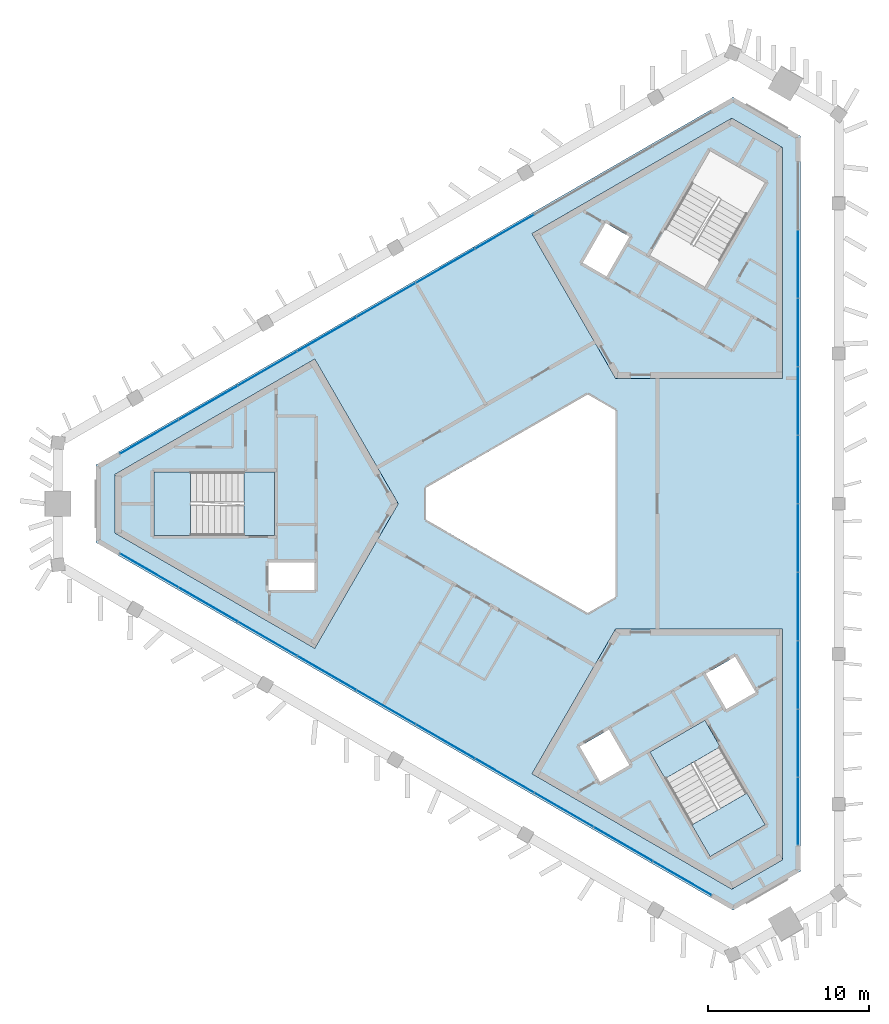
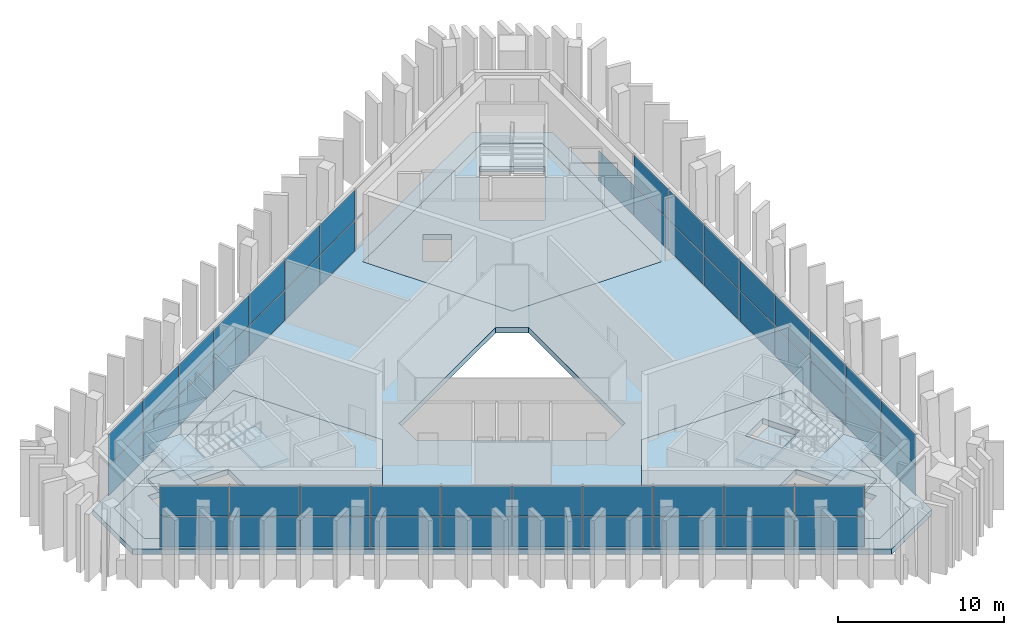
# One storey, part 7 of 13: 51 plates, 10 slabs, 5 elements without a shape of their own.
"""IFC4 building model written with IfcOpenShell, lengths in metres."""

import ifcopenshell
import ifcopenshell.guid

model = None  # the IFC model being written
_history = None  # IfcOwnerHistory: only IFC2X3 demands one
_inside = {}  # id of a spatial element -> (the spatial element, [elements in it])
_under = {}  # id of a project, library or spatial element -> (it, [spatial elements below it])
_declared = {}  # id of a project -> (the project, [libraries it declares])
_typed = {}  # id of a type object -> (the type object, [elements of that type])
_made_of = {}  # id of a material, layer set ... -> (it, [elements and type objects made of it])


def new_model(schema):
    """Start an empty IFC model of exactly this schema.

    Asked for "IFC4X3", IfcOpenShell would pick the latest addendum, in which some entities
    have other attributes; the version numbers below select the first issue.
    IFC2X3 requires an IfcOwnerHistory on every rooted entity: one is made here for all.
    """
    global model, _history
    if schema == "IFC4X3":
        model = ifcopenshell.file(schema_version=(4, 3, 0, 0))
    else:
        model = ifcopenshell.file(schema=schema)
    _inside.clear()
    _under.clear()
    _declared.clear()
    _typed.clear()
    _made_of.clear()
    _history = None
    if model.schema == "IFC2X3":
        org = make("IfcOrganization", Name="unknown")
        user = make(
            "IfcPersonAndOrganization",
            ThePerson=make("IfcPerson", FamilyName="unknown"),
            TheOrganization=org,
        )
        app = make(
            "IfcApplication",
            ApplicationDeveloper=org,
            Version="unknown",
            ApplicationFullName="unknown",
            ApplicationIdentifier="unknown",
        )
        _history = make(
            "IfcOwnerHistory",
            OwningUser=user,
            OwningApplication=app,
            ChangeAction="ADDED",
            CreationDate=0,
        )
    return model


def make(cls, **values):
    """One entity of the class cls with the attributes given. An attribute that is None is left unset."""
    return model.create_entity(
        cls, **{name: value for name, value in values.items() if value is not None}
    )


def rooted(cls, **values):
    """An entity with a GlobalId (a new one), such as an element, a storey or a relation."""
    return make(cls, GlobalId=ifcopenshell.guid.new(), OwnerHistory=_history, **values)


def si_unit(unit_type, name, prefix=None):
    """IfcSIUnit, for example si_unit("LENGTHUNIT", "METRE", prefix="MILLI")."""
    return make("IfcSIUnit", UnitType=unit_type, Prefix=prefix, Name=name)


def assignment(units):
    """IfcUnitAssignment: the units of a project."""
    return None if units is None else make("IfcUnitAssignment", Units=units)


def point(xyz):
    """IfcCartesianPoint."""
    return None if xyz is None else make("IfcCartesianPoint", Coordinates=xyz)


def direction(xyz):
    """IfcDirection."""
    return None if xyz is None else make("IfcDirection", DirectionRatios=xyz)


def frame(location, z_axis=None, x_axis=None):
    """IfcAxis2Placement3D, a coordinate frame: its origin and axes. An axis left out is left unset."""
    return make(
        "IfcAxis2Placement3D",
        Location=point(location),
        Axis=direction(z_axis),
        RefDirection=direction(x_axis),
    )


def frame_2d(location, x_axis=None):
    """IfcAxis2Placement2D, a coordinate frame in the plane: its origin and x axis."""
    return make(
        "IfcAxis2Placement2D", Location=point(location), RefDirection=direction(x_axis)
    )


def origin():
    """The frame at (0, 0, 0) with its axes left unset."""
    return frame((0.0, 0.0, 0.0))


def origin_2d():
    """The frame at (0, 0) in the plane with its x axis left unset."""
    return frame_2d((0.0, 0.0))


def place(relative_to, where):
    """IfcLocalPlacement: puts the frame where relative to a parent placement (None: the world)."""
    return make(
        "IfcLocalPlacement", PlacementRelTo=relative_to, RelativePlacement=where
    )


def context(
    kind, dimensions, precision=None, world=None, true_north=None, identifier=None
):
    """IfcGeometricRepresentationContext, for example the 3D "Model" context."""
    return make(
        "IfcGeometricRepresentationContext",
        ContextIdentifier=identifier,
        ContextType=kind,
        CoordinateSpaceDimension=dimensions,
        Precision=precision,
        WorldCoordinateSystem=world,
        TrueNorth=true_north,
    )


def subcontext(parent, identifier, kind, view, scale=None):
    """IfcGeometricRepresentationSubContext, for example "Body" below "Model"."""
    return make(
        "IfcGeometricRepresentationSubContext",
        ContextIdentifier=identifier,
        ContextType=kind,
        ParentContext=parent,
        TargetScale=scale,
        TargetView=view,
    )


def project(units=None, contexts=None):
    """IfcProject with its units and contexts."""
    return rooted(
        "IfcProject",
        Name="project",
        RepresentationContexts=contexts,
        UnitsInContext=assignment(units),
    )


def spatial(cls, under=None, at=None, **own):
    """A site, building, storey or space (cls), placed at a placement, below another one or the project."""
    s = rooted(cls, ObjectPlacement=at, **own)
    if under is not None:
        _under.setdefault(under.id(), (under, []))[1].append(s)
    return s


def polyline(points):
    """IfcPolyline through the points."""
    return make("IfcPolyline", Points=[point(p) for p in points])


def profile(cls, at=None, kind="AREA", **sizes):
    """A parametric profile (cls). Its sizes go by their IFC names, for example OverallWidth=200.0."""
    return make(cls, ProfileType=kind, Position=at, **sizes)


def rectangle(**sizes):
    """IfcRectangleProfileDef."""
    return profile("IfcRectangleProfileDef", **sizes)


def outline(outer, holes=None, kind="AREA"):
    """IfcArbitraryClosedProfileDef: a profile drawn as a closed curve; with holes, ...WithVoids."""
    if holes is None:
        return make("IfcArbitraryClosedProfileDef", ProfileType=kind, OuterCurve=outer)
    return make(
        "IfcArbitraryProfileDefWithVoids",
        ProfileType=kind,
        OuterCurve=outer,
        InnerCurves=holes,
    )


def extrude(swept, where, along, depth):
    """IfcExtrudedAreaSolid: the profile swept, set in the frame where, extruded along a direction by depth."""
    return make(
        "IfcExtrudedAreaSolid",
        SweptArea=swept,
        Position=where,
        ExtrudedDirection=direction(along),
        Depth=depth,
    )


def shape(context_of_items, identifier, shape_type, items):
    """IfcShapeRepresentation: the items that make up one representation, for example the "Body"."""
    return make(
        "IfcShapeRepresentation",
        ContextOfItems=context_of_items,
        RepresentationIdentifier=identifier,
        RepresentationType=shape_type,
        Items=items,
    )


def material(Name=None, Category=None):
    """IfcMaterial."""
    return make("IfcMaterial", Name=Name, Category=Category)


def layer(
    of_material, thickness, ventilated=None, Name=None, Category=None, Priority=None
):
    """IfcMaterialLayer: one layer of a wall or slab, of a material (None: an air gap)."""
    return make(
        "IfcMaterialLayer",
        Material=of_material,
        LayerThickness=thickness,
        IsVentilated=ventilated,
        Name=Name,
        Category=Category,
        Priority=Priority,
    )


def layer_set(layers, Name=None):
    """IfcMaterialLayerSet."""
    return make("IfcMaterialLayerSet", MaterialLayers=layers, LayerSetName=Name)


def made_of(thing, what):
    """Note that an element or type object is made of a material, layer set ...; save() writes the relation."""
    if what is not None:
        _made_of.setdefault(what.id(), (what, []))[1].append(thing)
    return thing


def type_object(cls, material=None, **own):
    """A type object (cls), such as IfcWallType, which elements share."""
    return made_of(rooted(cls, **own), material)


def element(
    cls,
    number,
    at=None,
    inside=None,
    cuts=None,
    type_object=None,
    material=None,
    context=None,
    identifier="Body",
    shape_type=None,
    held_by="IfcProductDefinitionShape",
    body=None,
    shapes=None,
    **own,
):
    """One element of the class cls, such as IfcWall. Its Tag is "e" and its number.

    at: its placement. inside: the storey or other place that contains it. cuts: it is an
    opening in that element (IfcRelVoidsElement). A single representation is given by context,
    identifier, shape_type and body (its items); several are given by shapes. held_by: the class
    of the entity that holds the representations. save() writes the other relations.
    """
    e = rooted(cls, Tag="e%d" % number, ObjectPlacement=at, **own)
    if body is not None:
        shapes = [shape(context, identifier, shape_type, body)]
    if shapes is not None:
        e.Representation = make(held_by, Representations=shapes)
    if inside is not None:
        _inside.setdefault(inside.id(), (inside, []))[1].append(e)
    if cuts is not None:
        rooted(
            "IfcRelVoidsElement", RelatingBuildingElement=cuts, RelatedOpeningElement=e
        )
    if type_object is not None:
        _typed.setdefault(type_object.id(), (type_object, []))[1].append(e)
    return made_of(e, material)


def aggregate(whole, parts):
    """IfcRelAggregates: a whole, such as a stair, and the parts it consists of."""
    return rooted("IfcRelAggregates", RelatingObject=whole, RelatedObjects=parts)


def save(model, path):
    """Write the relations noted so far, then the file.

    IfcRelAggregates (storeys below a building ...), IfcRelContainedInSpatialStructure (elements
    in a storey), IfcRelDefinesByType, IfcRelAssociatesMaterial and IfcRelDeclares: one each for
    every whole, place, type object, material and project.
    """
    for whole, parts in _under.values():
        aggregate(whole, parts)
    for where, things in _inside.values():
        rooted(
            "IfcRelContainedInSpatialStructure",
            RelatedElements=things,
            RelatingStructure=where,
        )
    for kind, things in _typed.values():
        rooted("IfcRelDefinesByType", RelatedObjects=things, RelatingType=kind)
    for what, things in _made_of.values():
        rooted("IfcRelAssociatesMaterial", RelatedObjects=things, RelatingMaterial=what)
    for by, libraries in _declared.values():
        rooted("IfcRelDeclares", RelatingContext=by, RelatedDefinitions=libraries)
    model.write(path)


model = new_model("IFC4")

# Units and contexts
model_context = context("Model", 3, precision=1e-05, world=origin(), true_north=direction((0.0, 1.0)))
body_context = subcontext(model_context, "Body", "Model", "MODEL_VIEW")
ifc_project = project(units=[si_unit("LENGTHUNIT", "METRE"), si_unit("AREAUNIT", "SQUARE_METRE"), si_unit("VOLUMEUNIT", "CUBIC_METRE"), si_unit("PLANEANGLEUNIT", "RADIAN"), si_unit("MASSUNIT", "GRAM", prefix="KILO")], contexts=[model_context])

# Site, building, storey
site_placement = place(None, origin())
site = spatial("IfcSite", under=ifc_project, at=site_placement, CompositionType="ELEMENT")
building_placement = place(site_placement, origin())
building = spatial("IfcBuilding", under=site, at=building_placement, Name="Jabali Bay Hotel Tower and Convention Centre", CompositionType="ELEMENT")
storey_placement = place(building_placement, frame((0.0, 0.0, 310.800048828125)))
storey = spatial("IfcBuildingStorey", under=building, at=storey_placement, Name="L76", CompositionType="ELEMENT", Elevation=310.800048828125)

# Curtain wall, plates
ifc_material_1 = material(Name="Aluminium and glass", Category="aluminium")
ifc_layer_1 = layer(ifc_material_1, 0.159912109375)
ifc_layer_set_1 = layer_set([ifc_layer_1], Name="Aluminium and glass")
curtain_wall_type = type_object("IfcCurtainWallType", Name="CW3 curtain wall", PredefinedType="NOTDEFINED", material=ifc_layer_set_1)
curtain_wall_1_placement = place(storey_placement, origin())
curtain_wall_1 = element("IfcCurtainWall", 1, at=curtain_wall_1_placement, inside=storey, type_object=curtain_wall_type, Name="CW3 curtain wall east face L76", PredefinedType="NOTDEFINED")
ifc_material_2 = material(Name="Glass", Category="glass")
ifc_layer_2 = layer(ifc_material_2, 0.028076171875)
ifc_layer_set_2 = layer_set([ifc_layer_2], Name="Glass")
plate_type = type_object("IfcPlateType", Name="CW3 glass panel 28", PredefinedType="CURTAIN_PANEL", material=ifc_layer_set_2)
plate_1_placement = place(storey_placement, frame((90.8310546875, 94.884521484375, 0.06005859375), z_axis=(0.0, 0.0, 1.0), x_axis=(0.0, -1.0, 0.0)))
plate_1 = element("IfcPlate", 2, at=plate_1_placement, type_object=plate_type, Name="CW3 panel 2.1", PredefinedType="CURTAIN_PANEL", context=body_context, shape_type="SweptSolid", body=[
    extrude(rectangle(XDim=4.192626953125, YDim=0.028076171875, at=origin_2d()), origin(), (0.0, 0.0, 1.0), 2.2099609375),
])
plate_2_placement = place(storey_placement, frame((90.8310546875, 90.6318359375, 0.06005859375), z_axis=(0.0, 0.0, 1.0), x_axis=(0.0, -1.0, 0.0)))
plate_2 = element("IfcPlate", 3, at=plate_2_placement, type_object=plate_type, Name="CW3 panel 3.1", PredefinedType="CURTAIN_PANEL", context=body_context, shape_type="SweptSolid", body=[
    extrude(rectangle(XDim=4.192626953125, YDim=0.028076171875, at=origin_2d()), origin(), (0.0, 0.0, 1.0), 2.2099609375),
])
plate_3_placement = place(storey_placement, frame((90.8310546875, 90.6318359375, 2.330078125), z_axis=(0.0, 0.0, 1.0), x_axis=(0.0, -1.0, 0.0)))
plate_3 = element("IfcPlate", 4, at=plate_3_placement, type_object=plate_type, Name="CW3 panel 3.2", PredefinedType="CURTAIN_PANEL", context=body_context, shape_type="SweptSolid", body=[
    extrude(rectangle(XDim=4.192626953125, YDim=0.028076171875, at=origin_2d()), origin(), (0.0, 0.0, 1.0), 2.2099609375),
])
plate_4_placement = place(storey_placement, frame((90.8310546875, 86.379150390625, 0.06005859375), z_axis=(0.0, 0.0, 1.0), x_axis=(0.0, -1.0, 0.0)))
plate_4 = element("IfcPlate", 5, at=plate_4_placement, type_object=plate_type, Name="CW3 panel 4.1", PredefinedType="CURTAIN_PANEL", context=body_context, shape_type="SweptSolid", body=[
    extrude(rectangle(XDim=4.192626953125, YDim=0.028076171875, at=origin_2d()), origin(), (0.0, 0.0, 1.0), 2.2099609375),
])
plate_5_placement = place(storey_placement, frame((90.8310546875, 86.379150390625, 2.330078125), z_axis=(0.0, 0.0, 1.0), x_axis=(0.0, -1.0, 0.0)))
plate_5 = element("IfcPlate", 6, at=plate_5_placement, type_object=plate_type, Name="CW3 panel 4.2", PredefinedType="CURTAIN_PANEL", context=body_context, shape_type="SweptSolid", body=[
    extrude(rectangle(XDim=4.192626953125, YDim=0.028076171875, at=origin_2d()), origin(), (0.0, 0.0, 1.0), 2.2099609375),
])
plate_6_placement = place(storey_placement, frame((90.8310546875, 82.12646484375, 0.06005859375), z_axis=(0.0, 0.0, 1.0), x_axis=(0.0, -1.0, 0.0)))
plate_6 = element("IfcPlate", 7, at=plate_6_placement, type_object=plate_type, Name="CW3 panel 5.1", PredefinedType="CURTAIN_PANEL", context=body_context, shape_type="SweptSolid", body=[
    extrude(rectangle(XDim=4.192626953125, YDim=0.028076171875, at=origin_2d()), origin(), (0.0, 0.0, 1.0), 2.2099609375),
])
plate_7_placement = place(storey_placement, frame((90.8310546875, 82.12646484375, 2.330078125), z_axis=(0.0, 0.0, 1.0), x_axis=(0.0, -1.0, 0.0)))
plate_7 = element("IfcPlate", 8, at=plate_7_placement, type_object=plate_type, Name="CW3 panel 5.2", PredefinedType="CURTAIN_PANEL", context=body_context, shape_type="SweptSolid", body=[
    extrude(rectangle(XDim=4.192626953125, YDim=0.028076171875, at=origin_2d()), origin(), (0.0, 0.0, 1.0), 2.2099609375),
])
plate_8_placement = place(storey_placement, frame((90.8310546875, 77.87353515625, 0.06005859375), z_axis=(0.0, 0.0, 1.0), x_axis=(0.0, -1.0, 0.0)))
plate_8 = element("IfcPlate", 9, at=plate_8_placement, type_object=plate_type, Name="CW3 panel 6.1", PredefinedType="CURTAIN_PANEL", context=body_context, shape_type="SweptSolid", body=[
    extrude(rectangle(XDim=4.192626953125, YDim=0.028076171875, at=origin_2d()), origin(), (0.0, 0.0, 1.0), 2.2099609375),
])
plate_9_placement = place(storey_placement, frame((90.8310546875, 77.87353515625, 2.330078125), z_axis=(0.0, 0.0, 1.0), x_axis=(0.0, -1.0, 0.0)))
plate_9 = element("IfcPlate", 10, at=plate_9_placement, type_object=plate_type, Name="CW3 panel 6.2", PredefinedType="CURTAIN_PANEL", context=body_context, shape_type="SweptSolid", body=[
    extrude(rectangle(XDim=4.192626953125, YDim=0.028076171875, at=origin_2d()), origin(), (0.0, 0.0, 1.0), 2.2099609375),
])
plate_10_placement = place(storey_placement, frame((90.8310546875, 73.620849609375, 0.06005859375), z_axis=(0.0, 0.0, 1.0), x_axis=(0.0, -1.0, 0.0)))
plate_10 = element("IfcPlate", 11, at=plate_10_placement, type_object=plate_type, Name="CW3 panel 7.1", PredefinedType="CURTAIN_PANEL", context=body_context, shape_type="SweptSolid", body=[
    extrude(rectangle(XDim=4.192626953125, YDim=0.028076171875, at=origin_2d()), origin(), (0.0, 0.0, 1.0), 2.2099609375),
])
plate_11_placement = place(storey_placement, frame((90.8310546875, 73.620849609375, 2.330078125), z_axis=(0.0, 0.0, 1.0), x_axis=(0.0, -1.0, 0.0)))
plate_11 = element("IfcPlate", 12, at=plate_11_placement, type_object=plate_type, Name="CW3 panel 7.2", PredefinedType="CURTAIN_PANEL", context=body_context, shape_type="SweptSolid", body=[
    extrude(rectangle(XDim=4.192626953125, YDim=0.028076171875, at=origin_2d()), origin(), (0.0, 0.0, 1.0), 2.2099609375),
])
plate_12_placement = place(storey_placement, frame((90.8310546875, 69.3681640625, 0.06005859375), z_axis=(0.0, 0.0, 1.0), x_axis=(0.0, -1.0, 0.0)))
plate_12 = element("IfcPlate", 13, at=plate_12_placement, type_object=plate_type, Name="CW3 panel 8.1", PredefinedType="CURTAIN_PANEL", context=body_context, shape_type="SweptSolid", body=[
    extrude(rectangle(XDim=4.192626953125, YDim=0.028076171875, at=origin_2d()), origin(), (0.0, 0.0, 1.0), 2.2099609375),
])
plate_13_placement = place(storey_placement, frame((90.8310546875, 69.3681640625, 2.330078125), z_axis=(0.0, 0.0, 1.0), x_axis=(0.0, -1.0, 0.0)))
plate_13 = element("IfcPlate", 14, at=plate_13_placement, type_object=plate_type, Name="CW3 panel 8.2", PredefinedType="CURTAIN_PANEL", context=body_context, shape_type="SweptSolid", body=[
    extrude(rectangle(XDim=4.192626953125, YDim=0.028076171875, at=origin_2d()), origin(), (0.0, 0.0, 1.0), 2.2099609375),
])
plate_14_placement = place(storey_placement, frame((90.8310546875, 65.115478515625, 0.06005859375), z_axis=(0.0, 0.0, 1.0), x_axis=(0.0, -1.0, 0.0)))
plate_14 = element("IfcPlate", 15, at=plate_14_placement, type_object=plate_type, Name="CW3 panel 9.1", PredefinedType="CURTAIN_PANEL", context=body_context, shape_type="SweptSolid", body=[
    extrude(rectangle(XDim=4.192626953125, YDim=0.028076171875, at=origin_2d()), origin(), (0.0, 0.0, 1.0), 2.2099609375),
])
plate_15_placement = place(storey_placement, frame((90.8310546875, 65.115478515625, 2.330078125), z_axis=(0.0, 0.0, 1.0), x_axis=(0.0, -1.0, 0.0)))
plate_15 = element("IfcPlate", 16, at=plate_15_placement, type_object=plate_type, Name="CW3 panel 9.2", PredefinedType="CURTAIN_PANEL", context=body_context, shape_type="SweptSolid", body=[
    extrude(rectangle(XDim=4.192626953125, YDim=0.028076171875, at=origin_2d()), origin(), (0.0, 0.0, 1.0), 2.2099609375),
])
plate_16_placement = place(storey_placement, frame((90.8310546875, 60.8779296875, 0.06005859375), z_axis=(0.0, 0.0, 1.0), x_axis=(0.0, -1.0, 0.0)))
plate_16 = element("IfcPlate", 17, at=plate_16_placement, type_object=plate_type, Name="CW3 panel 10.1", PredefinedType="CURTAIN_PANEL", context=body_context, shape_type="SweptSolid", body=[
    extrude(rectangle(XDim=4.16259765625, YDim=0.028076171875, at=origin_2d()), origin(), (0.0, 0.0, 1.0), 2.2099609375),
])
plate_17_placement = place(storey_placement, frame((90.8310546875, 60.8779296875, 2.330078125), z_axis=(0.0, 0.0, 1.0), x_axis=(0.0, -1.0, 0.0)))
plate_17 = element("IfcPlate", 18, at=plate_17_placement, type_object=plate_type, Name="CW3 panel 10.2", PredefinedType="CURTAIN_PANEL", context=body_context, shape_type="SweptSolid", body=[
    extrude(rectangle(XDim=4.16259765625, YDim=0.028076171875, at=origin_2d()), origin(), (0.0, 0.0, 1.0), 2.2099609375),
])
aggregate(curtain_wall_1, [plate_1, plate_2, plate_3, plate_4, plate_5, plate_6, plate_7, plate_8, plate_9, plate_10, plate_11, plate_12, plate_13, plate_14, plate_15, plate_16, plate_17])

curtain_wall_2_placement = place(storey_placement, origin())
curtain_wall_2 = element("IfcCurtainWall", 19, at=curtain_wall_2_placement, inside=storey, type_object=curtain_wall_type, Name="CW3 curtain wall north-west face L76", PredefinedType="NOTDEFINED")
plate_18_placement = place(storey_placement, frame((50.524169921875, 84.14892578125, 0.06005859375), z_axis=(0.0, 0.0, 1.0), x_axis=(0.866025403784, 0.5, 0.0)))
plate_18 = element("IfcPlate", 20, at=plate_18_placement, type_object=plate_type, Name="CW3 panel 1.1", PredefinedType="CURTAIN_PANEL", context=body_context, shape_type="SweptSolid", body=[
    extrude(rectangle(XDim=4.16259765625, YDim=0.028076171875, at=origin_2d()), origin(), (0.0, 0.0, 1.0), 2.2099609375),
])
plate_19_placement = place(storey_placement, frame((50.524169921875, 84.14892578125, 2.330078125), z_axis=(0.0, 0.0, 1.0), x_axis=(0.866025403784, 0.5, 0.0)))
plate_19 = element("IfcPlate", 21, at=plate_19_placement, type_object=plate_type, Name="CW3 panel 1.2", PredefinedType="CURTAIN_PANEL", context=body_context, shape_type="SweptSolid", body=[
    extrude(rectangle(XDim=4.16259765625, YDim=0.028076171875, at=origin_2d()), origin(), (0.0, 0.0, 1.0), 2.2099609375),
])
plate_20_placement = place(storey_placement, frame((54.1943359375, 86.267822265625, 0.06005859375), z_axis=(0.0, 0.0, 1.0), x_axis=(0.866025403784, 0.5, 0.0)))
plate_20 = element("IfcPlate", 22, at=plate_20_placement, type_object=plate_type, Name="CW3 panel 2.1", PredefinedType="CURTAIN_PANEL", context=body_context, shape_type="SweptSolid", body=[
    extrude(rectangle(XDim=4.192626953125, YDim=0.028076171875, at=origin_2d()), origin(), (0.0, 0.0, 1.0), 2.2099609375),
])
plate_21_placement = place(storey_placement, frame((54.1943359375, 86.267822265625, 2.330078125), z_axis=(0.0, 0.0, 1.0), x_axis=(0.866025403784, 0.5, 0.0)))
plate_21 = element("IfcPlate", 23, at=plate_21_placement, type_object=plate_type, Name="CW3 panel 2.2", PredefinedType="CURTAIN_PANEL", context=body_context, shape_type="SweptSolid", body=[
    extrude(rectangle(XDim=4.192626953125, YDim=0.028076171875, at=origin_2d()), origin(), (0.0, 0.0, 1.0), 2.2099609375),
])
plate_22_placement = place(storey_placement, frame((57.877197265625, 88.39404296875, 0.06005859375), z_axis=(0.0, 0.0, 1.0), x_axis=(0.866025403784, 0.5, 0.0)))
plate_22 = element("IfcPlate", 24, at=plate_22_placement, type_object=plate_type, Name="CW3 panel 3.1", PredefinedType="CURTAIN_PANEL", context=body_context, shape_type="SweptSolid", body=[
    extrude(rectangle(XDim=4.192626953125, YDim=0.028076171875, at=origin_2d()), origin(), (0.0, 0.0, 1.0), 2.2099609375),
])
plate_23_placement = place(storey_placement, frame((57.877197265625, 88.39404296875, 2.330078125), z_axis=(0.0, 0.0, 1.0), x_axis=(0.866025403784, 0.5, 0.0)))
plate_23 = element("IfcPlate", 25, at=plate_23_placement, type_object=plate_type, Name="CW3 panel 3.2", PredefinedType="CURTAIN_PANEL", context=body_context, shape_type="SweptSolid", body=[
    extrude(rectangle(XDim=4.192626953125, YDim=0.028076171875, at=origin_2d()), origin(), (0.0, 0.0, 1.0), 2.2099609375),
])
plate_24_placement = place(storey_placement, frame((61.56005859375, 90.5205078125, 0.06005859375), z_axis=(0.0, 0.0, 1.0), x_axis=(0.866025403784, 0.5, 0.0)))
plate_24 = element("IfcPlate", 26, at=plate_24_placement, type_object=plate_type, Name="CW3 panel 4.1", PredefinedType="CURTAIN_PANEL", context=body_context, shape_type="SweptSolid", body=[
    extrude(rectangle(XDim=4.192626953125, YDim=0.028076171875, at=origin_2d()), origin(), (0.0, 0.0, 1.0), 2.2099609375),
])
plate_25_placement = place(storey_placement, frame((61.56005859375, 90.5205078125, 2.330078125), z_axis=(0.0, 0.0, 1.0), x_axis=(0.866025403784, 0.5, 0.0)))
plate_25 = element("IfcPlate", 27, at=plate_25_placement, type_object=plate_type, Name="CW3 panel 4.2", PredefinedType="CURTAIN_PANEL", context=body_context, shape_type="SweptSolid", body=[
    extrude(rectangle(XDim=4.192626953125, YDim=0.028076171875, at=origin_2d()), origin(), (0.0, 0.0, 1.0), 2.2099609375),
])
plate_26_placement = place(storey_placement, frame((65.2431640625, 92.646728515625, 0.06005859375), z_axis=(0.0, 0.0, 1.0), x_axis=(0.866025403784, 0.5, 0.0)))
plate_26 = element("IfcPlate", 28, at=plate_26_placement, type_object=plate_type, Name="CW3 panel 5.1", PredefinedType="CURTAIN_PANEL", context=body_context, shape_type="SweptSolid", body=[
    extrude(rectangle(XDim=4.192626953125, YDim=0.028076171875, at=origin_2d()), origin(), (0.0, 0.0, 1.0), 2.2099609375),
])
plate_27_placement = place(storey_placement, frame((65.2431640625, 92.646728515625, 2.330078125), z_axis=(0.0, 0.0, 1.0), x_axis=(0.866025403784, 0.5, 0.0)))
plate_27 = element("IfcPlate", 29, at=plate_27_placement, type_object=plate_type, Name="CW3 panel 5.2", PredefinedType="CURTAIN_PANEL", context=body_context, shape_type="SweptSolid", body=[
    extrude(rectangle(XDim=4.192626953125, YDim=0.028076171875, at=origin_2d()), origin(), (0.0, 0.0, 1.0), 2.2099609375),
])
plate_28_placement = place(storey_placement, frame((68.926025390625, 94.773193359375, 0.06005859375), z_axis=(0.0, 0.0, 1.0), x_axis=(0.866025403784, 0.5, 0.0)))
plate_28 = element("IfcPlate", 30, at=plate_28_placement, type_object=plate_type, Name="CW3 panel 6.1", PredefinedType="CURTAIN_PANEL", context=body_context, shape_type="SweptSolid", body=[
    extrude(rectangle(XDim=4.192626953125, YDim=0.028076171875, at=origin_2d()), origin(), (0.0, 0.0, 1.0), 2.2099609375),
])
plate_29_placement = place(storey_placement, frame((68.926025390625, 94.773193359375, 2.330078125), z_axis=(0.0, 0.0, 1.0), x_axis=(0.866025403784, 0.5, 0.0)))
plate_29 = element("IfcPlate", 31, at=plate_29_placement, type_object=plate_type, Name="CW3 panel 6.2", PredefinedType="CURTAIN_PANEL", context=body_context, shape_type="SweptSolid", body=[
    extrude(rectangle(XDim=4.192626953125, YDim=0.028076171875, at=origin_2d()), origin(), (0.0, 0.0, 1.0), 2.2099609375),
])
plate_30_placement = place(storey_placement, frame((72.60888671875, 96.8994140625, 0.06005859375), z_axis=(0.0, 0.0, 1.0), x_axis=(0.866025403784, 0.5, 0.0)))
plate_30 = element("IfcPlate", 32, at=plate_30_placement, type_object=plate_type, Name="CW3 panel 7.1", PredefinedType="CURTAIN_PANEL", context=body_context, shape_type="SweptSolid", body=[
    extrude(rectangle(XDim=4.192626953125, YDim=0.028076171875, at=origin_2d()), origin(), (0.0, 0.0, 1.0), 2.2099609375),
])
plate_31_placement = place(storey_placement, frame((72.60888671875, 96.8994140625, 2.330078125), z_axis=(0.0, 0.0, 1.0), x_axis=(0.866025403784, 0.5, 0.0)))
plate_31 = element("IfcPlate", 33, at=plate_31_placement, type_object=plate_type, Name="CW3 panel 7.2", PredefinedType="CURTAIN_PANEL", context=body_context, shape_type="SweptSolid", body=[
    extrude(rectangle(XDim=4.192626953125, YDim=0.028076171875, at=origin_2d()), origin(), (0.0, 0.0, 1.0), 2.2099609375),
])
aggregate(curtain_wall_2, [plate_18, plate_19, plate_20, plate_21, plate_22, plate_23, plate_24, plate_25, plate_26, plate_27, plate_28, plate_29, plate_30, plate_31])

curtain_wall_3_placement = place(storey_placement, origin())
curtain_wall_3 = element("IfcCurtainWall", 34, at=curtain_wall_3_placement, inside=storey, type_object=curtain_wall_type, Name="CW3 curtain wall south-west face L76", PredefinedType="NOTDEFINED")
plate_32_placement = place(storey_placement, frame((83.644775390625, 56.72900390625, 0.06005859375), z_axis=(0.0, 0.0, 1.0), x_axis=(-0.866025403784, 0.5, 0.0)))
plate_32 = element("IfcPlate", 35, at=plate_32_placement, type_object=plate_type, Name="CW3 panel 1.1", PredefinedType="CURTAIN_PANEL", context=body_context, shape_type="SweptSolid", body=[
    extrude(rectangle(XDim=4.16259765625, YDim=0.028076171875, at=origin_2d()), origin(), (0.0, 0.0, 1.0), 2.2099609375),
])
plate_33_placement = place(storey_placement, frame((83.644775390625, 56.72900390625, 2.330078125), z_axis=(0.0, 0.0, 1.0), x_axis=(-0.866025403784, 0.5, 0.0)))
plate_33 = element("IfcPlate", 36, at=plate_33_placement, type_object=plate_type, Name="CW3 panel 1.2", PredefinedType="CURTAIN_PANEL", context=body_context, shape_type="SweptSolid", body=[
    extrude(rectangle(XDim=4.16259765625, YDim=0.028076171875, at=origin_2d()), origin(), (0.0, 0.0, 1.0), 2.2099609375),
])
plate_34_placement = place(storey_placement, frame((79.974853515625, 58.847900390625, 0.06005859375), z_axis=(0.0, 0.0, 1.0), x_axis=(-0.866025403784, 0.5, 0.0)))
plate_34 = element("IfcPlate", 37, at=plate_34_placement, type_object=plate_type, Name="CW3 panel 2.1", PredefinedType="CURTAIN_PANEL", context=body_context, shape_type="SweptSolid", body=[
    extrude(rectangle(XDim=4.192626953125, YDim=0.028076171875, at=origin_2d()), origin(), (0.0, 0.0, 1.0), 2.2099609375),
])
plate_35_placement = place(storey_placement, frame((79.974853515625, 58.847900390625, 2.330078125), z_axis=(0.0, 0.0, 1.0), x_axis=(-0.866025403784, 0.5, 0.0)))
plate_35 = element("IfcPlate", 38, at=plate_35_placement, type_object=plate_type, Name="CW3 panel 2.2", PredefinedType="CURTAIN_PANEL", context=body_context, shape_type="SweptSolid", body=[
    extrude(rectangle(XDim=4.192626953125, YDim=0.028076171875, at=origin_2d()), origin(), (0.0, 0.0, 1.0), 2.2099609375),
])
plate_36_placement = place(storey_placement, frame((76.2919921875, 60.97412109375, 0.06005859375), z_axis=(0.0, 0.0, 1.0), x_axis=(-0.866025403784, 0.5, 0.0)))
plate_36 = element("IfcPlate", 39, at=plate_36_placement, type_object=plate_type, Name="CW3 panel 3.1", PredefinedType="CURTAIN_PANEL", context=body_context, shape_type="SweptSolid", body=[
    extrude(rectangle(XDim=4.192626953125, YDim=0.028076171875, at=origin_2d()), origin(), (0.0, 0.0, 1.0), 2.2099609375),
])
plate_37_placement = place(storey_placement, frame((76.2919921875, 60.97412109375, 2.330078125), z_axis=(0.0, 0.0, 1.0), x_axis=(-0.866025403784, 0.5, 0.0)))
plate_37 = element("IfcPlate", 40, at=plate_37_placement, type_object=plate_type, Name="CW3 panel 3.2", PredefinedType="CURTAIN_PANEL", context=body_context, shape_type="SweptSolid", body=[
    extrude(rectangle(XDim=4.192626953125, YDim=0.028076171875, at=origin_2d()), origin(), (0.0, 0.0, 1.0), 2.2099609375),
])
plate_38_placement = place(storey_placement, frame((72.60888671875, 63.1005859375, 0.06005859375), z_axis=(0.0, 0.0, 1.0), x_axis=(-0.866025403784, 0.5, 0.0)))
plate_38 = element("IfcPlate", 41, at=plate_38_placement, type_object=plate_type, Name="CW3 panel 4.1", PredefinedType="CURTAIN_PANEL", context=body_context, shape_type="SweptSolid", body=[
    extrude(rectangle(XDim=4.192626953125, YDim=0.028076171875, at=origin_2d()), origin(), (0.0, 0.0, 1.0), 2.2099609375),
])
plate_39_placement = place(storey_placement, frame((72.60888671875, 63.1005859375, 2.330078125), z_axis=(0.0, 0.0, 1.0), x_axis=(-0.866025403784, 0.5, 0.0)))
plate_39 = element("IfcPlate", 42, at=plate_39_placement, type_object=plate_type, Name="CW3 panel 4.2", PredefinedType="CURTAIN_PANEL", context=body_context, shape_type="SweptSolid", body=[
    extrude(rectangle(XDim=4.192626953125, YDim=0.028076171875, at=origin_2d()), origin(), (0.0, 0.0, 1.0), 2.2099609375),
])
plate_40_placement = place(storey_placement, frame((68.926025390625, 65.226806640625, 0.06005859375), z_axis=(0.0, 0.0, 1.0), x_axis=(-0.866025403784, 0.5, 0.0)))
plate_40 = element("IfcPlate", 43, at=plate_40_placement, type_object=plate_type, Name="CW3 panel 5.1", PredefinedType="CURTAIN_PANEL", context=body_context, shape_type="SweptSolid", body=[
    extrude(rectangle(XDim=4.192626953125, YDim=0.028076171875, at=origin_2d()), origin(), (0.0, 0.0, 1.0), 2.2099609375),
])
plate_41_placement = place(storey_placement, frame((68.926025390625, 65.226806640625, 2.330078125), z_axis=(0.0, 0.0, 1.0), x_axis=(-0.866025403784, 0.5, 0.0)))
plate_41 = element("IfcPlate", 44, at=plate_41_placement, type_object=plate_type, Name="CW3 panel 5.2", PredefinedType="CURTAIN_PANEL", context=body_context, shape_type="SweptSolid", body=[
    extrude(rectangle(XDim=4.192626953125, YDim=0.028076171875, at=origin_2d()), origin(), (0.0, 0.0, 1.0), 2.2099609375),
])
plate_42_placement = place(storey_placement, frame((65.2431640625, 67.353271484375, 0.06005859375), z_axis=(0.0, 0.0, 1.0), x_axis=(-0.866025403784, 0.5, 0.0)))
plate_42 = element("IfcPlate", 45, at=plate_42_placement, type_object=plate_type, Name="CW3 panel 6.1", PredefinedType="CURTAIN_PANEL", context=body_context, shape_type="SweptSolid", body=[
    extrude(rectangle(XDim=4.192626953125, YDim=0.028076171875, at=origin_2d()), origin(), (0.0, 0.0, 1.0), 2.2099609375),
])
plate_43_placement = place(storey_placement, frame((65.2431640625, 67.353271484375, 2.330078125), z_axis=(0.0, 0.0, 1.0), x_axis=(-0.866025403784, 0.5, 0.0)))
plate_43 = element("IfcPlate", 46, at=plate_43_placement, type_object=plate_type, Name="CW3 panel 6.2", PredefinedType="CURTAIN_PANEL", context=body_context, shape_type="SweptSolid", body=[
    extrude(rectangle(XDim=4.192626953125, YDim=0.028076171875, at=origin_2d()), origin(), (0.0, 0.0, 1.0), 2.2099609375),
])
plate_44_placement = place(storey_placement, frame((61.56005859375, 69.4794921875, 0.06005859375), z_axis=(0.0, 0.0, 1.0), x_axis=(-0.866025403784, 0.5, 0.0)))
plate_44 = element("IfcPlate", 47, at=plate_44_placement, type_object=plate_type, Name="CW3 panel 7.1", PredefinedType="CURTAIN_PANEL", context=body_context, shape_type="SweptSolid", body=[
    extrude(rectangle(XDim=4.192626953125, YDim=0.028076171875, at=origin_2d()), origin(), (0.0, 0.0, 1.0), 2.2099609375),
])
plate_45_placement = place(storey_placement, frame((61.56005859375, 69.4794921875, 2.330078125), z_axis=(0.0, 0.0, 1.0), x_axis=(-0.866025403784, 0.5, 0.0)))
plate_45 = element("IfcPlate", 48, at=plate_45_placement, type_object=plate_type, Name="CW3 panel 7.2", PredefinedType="CURTAIN_PANEL", context=body_context, shape_type="SweptSolid", body=[
    extrude(rectangle(XDim=4.192626953125, YDim=0.028076171875, at=origin_2d()), origin(), (0.0, 0.0, 1.0), 2.2099609375),
])
plate_46_placement = place(storey_placement, frame((57.877197265625, 71.60595703125, 0.06005859375), z_axis=(0.0, 0.0, 1.0), x_axis=(-0.866025403784, 0.5, 0.0)))
plate_46 = element("IfcPlate", 49, at=plate_46_placement, type_object=plate_type, Name="CW3 panel 8.1", PredefinedType="CURTAIN_PANEL", context=body_context, shape_type="SweptSolid", body=[
    extrude(rectangle(XDim=4.192626953125, YDim=0.028076171875, at=origin_2d()), origin(), (0.0, 0.0, 1.0), 2.2099609375),
])
plate_47_placement = place(storey_placement, frame((57.877197265625, 71.60595703125, 2.330078125), z_axis=(0.0, 0.0, 1.0), x_axis=(-0.866025403784, 0.5, 0.0)))
plate_47 = element("IfcPlate", 50, at=plate_47_placement, type_object=plate_type, Name="CW3 panel 8.2", PredefinedType="CURTAIN_PANEL", context=body_context, shape_type="SweptSolid", body=[
    extrude(rectangle(XDim=4.192626953125, YDim=0.028076171875, at=origin_2d()), origin(), (0.0, 0.0, 1.0), 2.2099609375),
])
plate_48_placement = place(storey_placement, frame((54.1943359375, 73.732177734375, 0.06005859375), z_axis=(0.0, 0.0, 1.0), x_axis=(-0.866025403784, 0.5, 0.0)))
plate_48 = element("IfcPlate", 51, at=plate_48_placement, type_object=plate_type, Name="CW3 panel 9.1", PredefinedType="CURTAIN_PANEL", context=body_context, shape_type="SweptSolid", body=[
    extrude(rectangle(XDim=4.192626953125, YDim=0.028076171875, at=origin_2d()), origin(), (0.0, 0.0, 1.0), 2.2099609375),
])
plate_49_placement = place(storey_placement, frame((54.1943359375, 73.732177734375, 2.330078125), z_axis=(0.0, 0.0, 1.0), x_axis=(-0.866025403784, 0.5, 0.0)))
plate_49 = element("IfcPlate", 52, at=plate_49_placement, type_object=plate_type, Name="CW3 panel 9.2", PredefinedType="CURTAIN_PANEL", context=body_context, shape_type="SweptSolid", body=[
    extrude(rectangle(XDim=4.192626953125, YDim=0.028076171875, at=origin_2d()), origin(), (0.0, 0.0, 1.0), 2.2099609375),
])
plate_50_placement = place(storey_placement, frame((50.524169921875, 75.85107421875, 0.06005859375), z_axis=(0.0, 0.0, 1.0), x_axis=(-0.866025403784, 0.5, 0.0)))
plate_50 = element("IfcPlate", 53, at=plate_50_placement, type_object=plate_type, Name="CW3 panel 10.1", PredefinedType="CURTAIN_PANEL", context=body_context, shape_type="SweptSolid", body=[
    extrude(rectangle(XDim=4.16259765625, YDim=0.028076171875, at=origin_2d()), origin(), (0.0, 0.0, 1.0), 2.2099609375),
])
plate_51_placement = place(storey_placement, frame((50.524169921875, 75.85107421875, 2.330078125), z_axis=(0.0, 0.0, 1.0), x_axis=(-0.866025403784, 0.5, 0.0)))
plate_51 = element("IfcPlate", 54, at=plate_51_placement, type_object=plate_type, Name="CW3 panel 10.2", PredefinedType="CURTAIN_PANEL", context=body_context, shape_type="SweptSolid", body=[
    extrude(rectangle(XDim=4.16259765625, YDim=0.028076171875, at=origin_2d()), origin(), (0.0, 0.0, 1.0), 2.2099609375),
])
aggregate(curtain_wall_3, [plate_32, plate_33, plate_34, plate_35, plate_36, plate_37, plate_38, plate_39, plate_40, plate_41, plate_42, plate_43, plate_44, plate_45, plate_46, plate_47, plate_48, plate_49, plate_50, plate_51])

# Slabs
ifc_material_3 = material(Name="Concrete C40", Category="concrete")
ifc_layer_3 = layer(ifc_material_3, 0.39990234375)
ifc_layer_set_3 = layer_set([ifc_layer_3], Name="Concrete C40")
slab_type_1 = type_object("IfcSlabType", Name="Core floor slab 400", PredefinedType="FLOOR", material=ifc_layer_set_3)
slab_1_placement = place(storey_placement, frame((0.0, 0.0, -0.400146484375)))
element("IfcSlab", 55, at=slab_1_placement, inside=storey, type_object=slab_type_1, Name="Core floor slab 1 L76", PredefinedType="FLOOR", context=body_context, shape_type="SweptSolid", body=[
    extrude(outline(polyline([(66.0, 80.0), (60.81005859375, 88.9892578125), (48.39697265625, 81.82275390625), (48.39697265625, 78.17724609375), (60.81005859375, 71.0107421875), (66.0, 80.0)]), holes=[polyline([(60.800048828125, 76.35009765625), (57.949951171875, 76.35009765625), (57.949951171875, 74.64990234375), (60.800048828125, 74.64990234375), (60.800048828125, 76.35009765625)]), polyline([(50.820068359375, 81.97509765625), (50.820068359375, 78.02490234375), (56.409912109375, 78.02490234375), (56.409912109375, 81.97509765625), (50.820068359375, 81.97509765625)])]), origin(), (0.0, 0.0, 1.0), 0.400146484375),
])
slab_2_placement = place(storey_placement, frame((0.0, 0.0, -0.400146484375)))
element("IfcSlab", 56, at=slab_2_placement, inside=storey, type_object=slab_type_1, Name="Core floor slab 2 L76", PredefinedType="FLOOR", context=body_context, shape_type="SweptSolid", body=[
    extrude(outline(polyline([(79.5, 87.794189453125), (89.8798828125, 87.794189453125), (89.8798828125, 102.127685546875), (86.72314453125, 103.9501953125), (74.31005859375, 96.78369140625), (79.5, 87.794189453125)]), holes=[polyline([(78.93896484375, 94.12255859375), (80.364013671875, 96.5908203125), (78.891845703125, 97.440673828125), (77.466796875, 94.97265625), (78.93896484375, 94.12255859375)]), polyline([(88.80029296875, 99.952880859375), (85.379638671875, 101.927978515625), (82.584716796875, 97.0869140625), (86.00537109375, 95.11181640625), (88.80029296875, 99.952880859375)])]), origin(), (0.0, 0.0, 1.0), 0.400146484375),
])
slab_3_placement = place(storey_placement, frame((0.0, 0.0, -0.400146484375)))
element("IfcSlab", 57, at=slab_3_placement, inside=storey, type_object=slab_type_1, Name="Core floor slab 3 L76", PredefinedType="FLOOR", context=body_context, shape_type="SweptSolid", body=[
    extrude(outline(polyline([(79.5, 72.205810546875), (74.31005859375, 63.21630859375), (86.72314453125, 56.0498046875), (89.8798828125, 57.872314453125), (89.8798828125, 72.205810546875), (79.5, 72.205810546875)]), holes=[polyline([(85.379638671875, 58.072021484375), (88.80029296875, 60.047119140625), (86.00537109375, 64.88818359375), (82.584716796875, 62.9130859375), (85.379638671875, 58.072021484375)]), polyline([(79.090576171875, 65.96484375), (77.27197265625, 64.9150390625), (78.546875, 62.70654296875), (80.365478515625, 63.756591796875), (79.090576171875, 65.96484375)]), polyline([(86.927978515625, 70.489990234375), (85.109375, 69.43994140625), (86.384521484375, 67.231689453125), (88.203125, 68.281494140625), (86.927978515625, 70.489990234375)])]), origin(), (0.0, 0.0, 1.0), 0.400146484375),
])
ifc_layer_4 = layer(ifc_material_3, 0.39990234375)
ifc_layer_set_4 = layer_set([ifc_layer_4], Name="Concrete C40")
slab_type_2 = type_object("IfcSlabType", Name="Post-tensioned flat slab 400", PredefinedType="FLOOR", material=ifc_layer_set_4)
slab_4_placement = place(storey_placement, frame((0.0, 0.0, -0.400146484375)))
element("IfcSlab", 58, at=slab_4_placement, inside=storey, type_object=slab_type_2, Name="Floor slab L76", PredefinedType="FLOOR", context=body_context, shape_type="SweptSolid", body=[
    extrude(outline(polyline([(86.79833984375, 105.264892578125), (90.98095703125, 102.85009765625), (90.98095703125, 57.14990234375), (86.79833984375, 54.735107421875), (47.220703125, 77.585205078125), (47.220703125, 82.414794921875), (86.79833984375, 105.264892578125)]), holes=[polyline([(67.73193359375, 79.0), (77.76806640625, 73.205810546875), (79.5, 74.205810546875), (79.5, 85.794189453125), (77.76806640625, 86.794189453125), (67.73193359375, 81.0), (67.73193359375, 79.0)]), polyline([(48.39697265625, 78.17724609375), (60.81005859375, 71.0107421875), (66.0, 80.0), (60.81005859375, 88.9892578125), (48.39697265625, 81.82275390625), (48.39697265625, 78.17724609375)]), polyline([(89.8798828125, 102.127685546875), (86.72314453125, 103.9501953125), (74.31005859375, 96.78369140625), (79.5, 87.794189453125), (89.8798828125, 87.794189453125), (89.8798828125, 102.127685546875)]), polyline([(74.31005859375, 63.21630859375), (86.72314453125, 56.0498046875), (89.8798828125, 57.872314453125), (89.8798828125, 72.205810546875), (79.5, 72.205810546875), (74.31005859375, 63.21630859375)])]), origin(), (0.0, 0.0, 1.0), 0.400146484375),
])

# Stair, slabs
stair_type = type_object("IfcStairType", Name="Exit stair 1900", PredefinedType="HALF_TURN_STAIR", material=ifc_material_3)
stair_1_placement = place(storey_placement, origin())
stair_1 = element("IfcStair", 59, at=stair_1_placement, inside=storey, type_object=stair_type, Name="L76 Exit Stair 1", PredefinedType="HALF_TURN_STAIR")
ifc_layer_5 = layer(ifc_material_3, 0.199951171875)
ifc_layer_set_5 = layer_set([ifc_layer_5], Name="Concrete C40")
slab_type_3 = type_object("IfcSlabType", Name="Stair landing 200", PredefinedType="LANDING", material=ifc_layer_set_5)
slab_5_placement = place(storey_placement, frame((0.0, 0.0, 1.050048828125)))
slab_5 = element("IfcSlab", 60, at=slab_5_placement, type_object=slab_type_3, Name="ST1 landing 1", PredefinedType="LANDING", context=body_context, shape_type="SweptSolid", body=[
    extrude(outline(polyline([(53.093017578125, 81.97509765625), (50.820068359375, 81.97509765625), (50.820068359375, 78.02490234375), (53.093017578125, 78.02490234375), (53.093017578125, 81.97509765625)])), origin(), (0.0, 0.0, 1.0), 0.199951171875),
])
slab_6_placement = place(storey_placement, frame((0.0, 0.0, 2.300048828125)))
slab_6 = element("IfcSlab", 61, at=slab_6_placement, type_object=slab_type_3, Name="ST1 landing 2", PredefinedType="LANDING", context=body_context, shape_type="SweptSolid", body=[
    extrude(outline(polyline([(58.320068359375, 81.97509765625), (56.4169921875, 81.97509765625), (56.4169921875, 78.02490234375), (58.320068359375, 78.02490234375), (58.320068359375, 81.97509765625)])), origin(), (0.0, 0.0, 1.0), 0.199951171875),
])
slab_7_placement = place(storey_placement, frame((0.0, 0.0, 3.550048828125)))
slab_7 = element("IfcSlab", 62, at=slab_7_placement, type_object=slab_type_3, Name="ST1 landing 3", PredefinedType="LANDING", context=body_context, shape_type="SweptSolid", body=[
    extrude(outline(polyline([(53.093017578125, 81.97509765625), (50.820068359375, 81.97509765625), (50.820068359375, 78.02490234375), (53.093017578125, 78.02490234375), (53.093017578125, 81.97509765625)])), origin(), (0.0, 0.0, 1.0), 0.199951171875),
])
aggregate(stair_1, [slab_5, slab_6, slab_7])

stair_2_placement = place(storey_placement, origin())
stair_2 = element("IfcStair", 63, at=stair_2_placement, inside=storey, type_object=stair_type, Name="L76 Exit Stair 3", PredefinedType="HALF_TURN_STAIR")
slab_8_placement = place(storey_placement, frame((0.0, 0.0, 1.050048828125)))
slab_8 = element("IfcSlab", 64, at=slab_8_placement, type_object=slab_type_3, Name="ST3 landing 1", PredefinedType="LANDING", context=body_context, shape_type="SweptSolid", body=[
    extrude(outline(polyline([(84.2431640625, 60.04052734375), (85.379638671875, 58.072021484375), (88.80029296875, 60.047119140625), (87.663818359375, 62.015380859375), (84.2431640625, 60.04052734375)])), origin(), (0.0, 0.0, 1.0), 0.199951171875),
])
slab_9_placement = place(storey_placement, frame((0.0, 0.0, 2.300048828125)))
slab_9 = element("IfcSlab", 65, at=slab_9_placement, type_object=slab_type_3, Name="ST3 landing 2", PredefinedType="LANDING", context=body_context, shape_type="SweptSolid", body=[
    extrude(outline(polyline([(81.629638671875, 64.567138671875), (82.5810546875, 62.919189453125), (86.001953125, 64.89404296875), (85.05029296875, 66.542236328125), (81.629638671875, 64.567138671875)])), origin(), (0.0, 0.0, 1.0), 0.199951171875),
])
slab_10_placement = place(storey_placement, frame((0.0, 0.0, 3.550048828125)))
slab_10 = element("IfcSlab", 66, at=slab_10_placement, type_object=slab_type_3, Name="ST3 landing 3", PredefinedType="LANDING", context=body_context, shape_type="SweptSolid", body=[
    extrude(outline(polyline([(84.2431640625, 60.04052734375), (85.379638671875, 58.072021484375), (88.80029296875, 60.047119140625), (87.663818359375, 62.015380859375), (84.2431640625, 60.04052734375)])), origin(), (0.0, 0.0, 1.0), 0.199951171875),
])
aggregate(stair_2, [slab_8, slab_9, slab_10])

save(model, "model.ifc")
